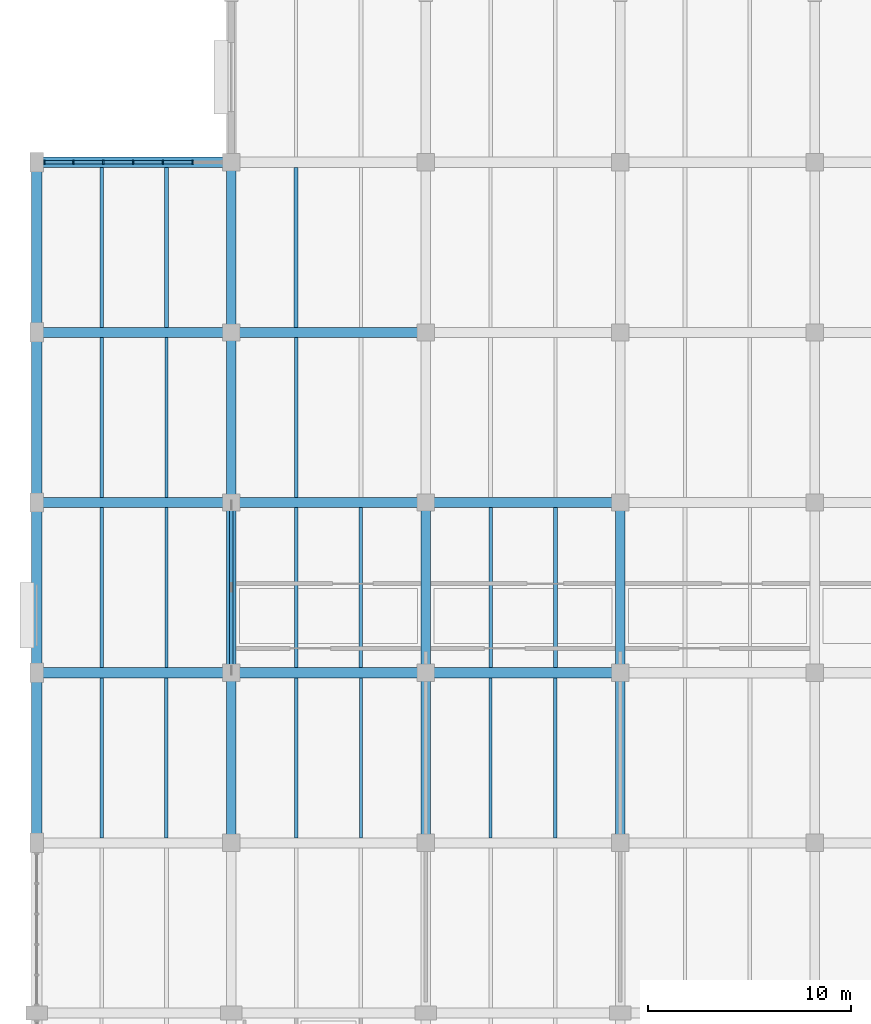
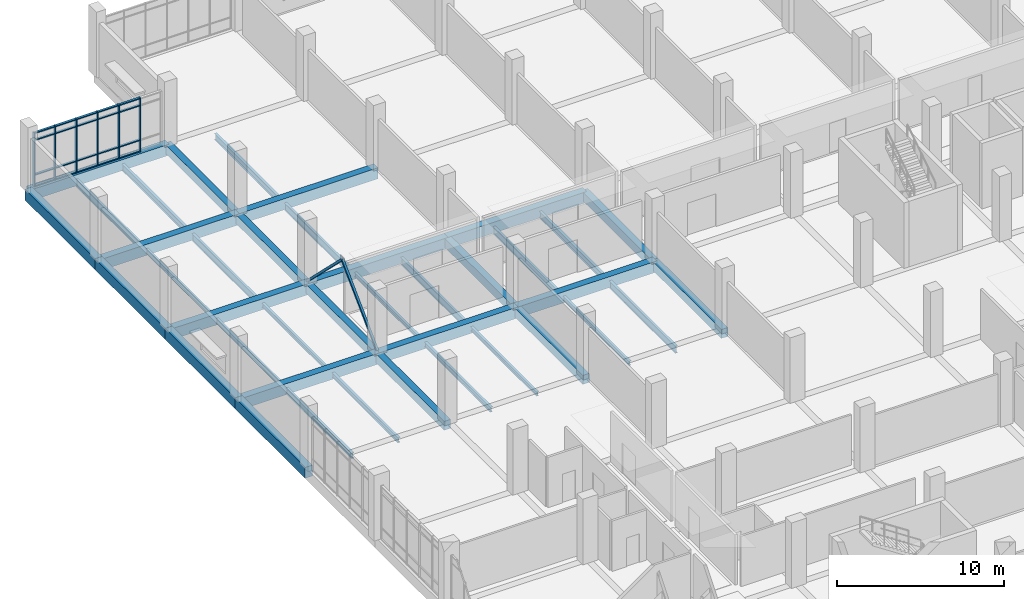
# One storey, part 30 of 152: 39 beams, 28 members, 1 element without a shape of its own.
"""IFC4 building model written with IfcOpenShell, lengths in metres."""

from ifc_helpers import new_model, si_unit, direction, frame, origin, origin_2d, place, context, subcontext, project, spatial, rectangle, hollow_rectangle, i_section, extrude, material, material_profile, profile_set, type_object, element, aggregate, save


model = new_model("IFC4")

# Units and contexts
model_context = context("Model", 3, precision=1e-05, world=origin(), true_north=direction((0.0, 1.0)))
body_context = subcontext(model_context, "Body", "Model", "MODEL_VIEW")
ifc_project = project(units=[si_unit("LENGTHUNIT", "METRE"), si_unit("AREAUNIT", "SQUARE_METRE"), si_unit("VOLUMEUNIT", "CUBIC_METRE"), si_unit("PLANEANGLEUNIT", "RADIAN"), si_unit("MASSUNIT", "GRAM", prefix="KILO")], contexts=[model_context])

# Site, building, storey
site_placement = place(None, origin())
site = spatial("IfcSite", under=ifc_project, at=site_placement, CompositionType="ELEMENT")
building_placement = place(site_placement, origin())
building = spatial("IfcBuilding", under=site, at=building_placement, Name="Oolite Switchyard Hospital", CompositionType="ELEMENT")
storey_placement = place(building_placement, frame((0.0, 0.0, 5.10009765625)))
storey = spatial("IfcBuildingStorey", under=building, at=storey_placement, Name="L01", CompositionType="ELEMENT", Elevation=5.10009765625)

# Beams
ifc_material_1 = material(Name="Concrete C40/50", Category="concrete")
ifc_material_profile_1 = material_profile(ifc_material_1, rectangle(XDim=0.449951171875, YDim=0.64990234375, at=origin_2d()), Name="RCB450X650")
ifc_profile_set_1 = profile_set([ifc_material_profile_1], Name="Concrete C40/50")
beam_type_1 = type_object("IfcBeamType", Name="BM-RC450X650", PredefinedType="BEAM", material=ifc_profile_set_1)
beam_1_placement = place(storey_placement, frame((9.60009765625, 92.39990234375, -0.3251953125), z_axis=(0.0, 1.0, 0.0), x_axis=(-1.0, 0.0, 0.0)))
element("IfcBeam", 1, at=beam_1_placement, inside=storey, type_object=beam_type_1, Name="L01 Y-Girder 313", PredefinedType="BEAM", context=body_context, shape_type="SweptSolid", body=[
    extrude(rectangle(XDim=0.449951171875, YDim=0.64990234375, at=origin_2d()), origin(), (0.0, 0.0, 1.0), 8.400146484375),
])
beam_2_placement = place(storey_placement, frame((9.60009765625, 100.800048828125, -0.3251953125), z_axis=(0.0, 1.0, 0.0), x_axis=(-1.0, 0.0, 0.0)))
element("IfcBeam", 2, at=beam_2_placement, inside=storey, type_object=beam_type_1, Name="L01 Y-Girder 314", PredefinedType="BEAM", context=body_context, shape_type="SweptSolid", body=[
    extrude(rectangle(XDim=0.449951171875, YDim=0.64990234375, at=origin_2d()), origin(), (0.0, 0.0, 1.0), 8.39990234375),
])
beam_3_placement = place(storey_placement, frame((9.60009765625, 109.199951171875, -0.3251953125), z_axis=(0.0, 1.0, 0.0), x_axis=(-1.0, 0.0, 0.0)))
element("IfcBeam", 3, at=beam_3_placement, inside=storey, type_object=beam_type_1, Name="L01 Y-Girder 315", PredefinedType="BEAM", context=body_context, shape_type="SweptSolid", body=[
    extrude(rectangle(XDim=0.449951171875, YDim=0.64990234375, at=origin_2d()), origin(), (0.0, 0.0, 1.0), 8.400146484375),
])
beam_4_placement = place(storey_placement, frame((9.60009765625, 117.60009765625, -0.3251953125), z_axis=(0.0, 1.0, 0.0), x_axis=(-1.0, 0.0, 0.0)))
element("IfcBeam", 4, at=beam_4_placement, inside=storey, type_object=beam_type_1, Name="L01 Y-Girder 316", PredefinedType="BEAM", context=body_context, shape_type="SweptSolid", body=[
    extrude(rectangle(XDim=0.449951171875, YDim=0.64990234375, at=origin_2d()), origin(), (0.0, 0.0, 1.0), 8.39990234375),
])
beam_5_placement = place(storey_placement, frame((19.199951171875, 92.39990234375, -0.3251953125), z_axis=(0.0, 1.0, 0.0), x_axis=(-1.0, 0.0, 0.0)))
element("IfcBeam", 5, at=beam_5_placement, inside=storey, type_object=beam_type_1, Name="L01 Y-Girder 329", PredefinedType="BEAM", context=body_context, shape_type="SweptSolid", body=[
    extrude(rectangle(XDim=0.449951171875, YDim=0.64990234375, at=origin_2d()), origin(), (0.0, 0.0, 1.0), 8.400146484375),
])
beam_6_placement = place(storey_placement, frame((19.199951171875, 100.800048828125, -0.3251953125), z_axis=(0.0, 1.0, 0.0), x_axis=(-1.0, 0.0, 0.0)))
element("IfcBeam", 6, at=beam_6_placement, inside=storey, type_object=beam_type_1, Name="L01 Y-Girder 330", PredefinedType="BEAM", context=body_context, shape_type="SweptSolid", body=[
    extrude(rectangle(XDim=0.449951171875, YDim=0.64990234375, at=origin_2d()), origin(), (0.0, 0.0, 1.0), 8.39990234375),
])
beam_7_placement = place(storey_placement, frame((28.800048828125, 92.39990234375, -0.3251953125), z_axis=(0.0, 1.0, 0.0), x_axis=(-1.0, 0.0, 0.0)))
element("IfcBeam", 7, at=beam_7_placement, inside=storey, type_object=beam_type_1, Name="L01 Y-Girder 345", PredefinedType="BEAM", context=body_context, shape_type="SweptSolid", body=[
    extrude(rectangle(XDim=0.449951171875, YDim=0.64990234375, at=origin_2d()), origin(), (0.0, 0.0, 1.0), 8.400146484375),
])
beam_8_placement = place(storey_placement, frame((28.800048828125, 100.800048828125, -0.3251953125), z_axis=(0.0, 1.0, 0.0), x_axis=(-1.0, 0.0, 0.0)))
element("IfcBeam", 8, at=beam_8_placement, inside=storey, type_object=beam_type_1, Name="L01 Y-Girder 346", PredefinedType="BEAM", context=body_context, shape_type="SweptSolid", body=[
    extrude(rectangle(XDim=0.449951171875, YDim=0.64990234375, at=origin_2d()), origin(), (0.0, 0.0, 1.0), 8.39990234375),
])
ifc_material_profile_2 = material_profile(ifc_material_1, rectangle(XDim=0.5, YDim=0.800048828125, at=origin_2d()), Name="RCB500X800")
ifc_profile_set_2 = profile_set([ifc_material_profile_2], Name="Concrete C40/50")
beam_type_2 = type_object("IfcBeamType", Name="BM-RC500X800", PredefinedType="BEAM", material=ifc_profile_set_2)
beam_9_placement = place(storey_placement, frame((0.0, 100.800048828125, -0.400146484375), z_axis=(1.0, 0.0, 0.0), x_axis=(0.0, 1.0, 0.0)))
element("IfcBeam", 9, at=beam_9_placement, inside=storey, type_object=beam_type_2, Name="L01 X-Girder 197", PredefinedType="BEAM", context=body_context, shape_type="SweptSolid", body=[
    extrude(rectangle(XDim=0.5, YDim=0.800048828125, at=origin_2d()), origin(), (0.0, 0.0, 1.0), 9.60009765625),
])
beam_10_placement = place(storey_placement, frame((9.60009765625, 100.800048828125, -0.400146484375), z_axis=(1.0, 0.0, 0.0), x_axis=(0.0, 1.0, 0.0)))
element("IfcBeam", 10, at=beam_10_placement, inside=storey, type_object=beam_type_2, Name="L01 X-Girder 198", PredefinedType="BEAM", context=body_context, shape_type="SweptSolid", body=[
    extrude(rectangle(XDim=0.5, YDim=0.800048828125, at=origin_2d()), origin(), (0.0, 0.0, 1.0), 9.599853515625),
])
for number, where, z_axis, x_axis, name in (
    (11, (19.199951171875, 100.800048828125, -0.400146484375), (1.0, 0.0, 0.0), (0.0, 1.0, 0.0), "L01 X-Girder 199"),
    (12, (0.0, 109.199951171875, -0.400146484375), (1.0, 0.0, 0.0), (0.0, 1.0, 0.0), "L01 X-Girder 219"),
):
    element("IfcBeam", number, at=place(storey_placement, frame(where, z_axis=z_axis, x_axis=x_axis)), inside=storey, type_object=beam_type_2, Name=name, PredefinedType="BEAM", context=body_context, shape_type="SweptSolid", body=[
        extrude(rectangle(XDim=0.5, YDim=0.800048828125, at=origin_2d()), origin(), (0.0, 0.0, 1.0), 9.60009765625),
    ])
beam_11_placement = place(storey_placement, frame((9.60009765625, 109.199951171875, -0.400146484375), z_axis=(1.0, 0.0, 0.0), x_axis=(0.0, 1.0, 0.0)))
element("IfcBeam", 13, at=beam_11_placement, inside=storey, type_object=beam_type_2, Name="L01 X-Girder 220", PredefinedType="BEAM", context=body_context, shape_type="SweptSolid", body=[
    extrude(rectangle(XDim=0.5, YDim=0.800048828125, at=origin_2d()), origin(), (0.0, 0.0, 1.0), 9.599853515625),
])
for number, where, z_axis, x_axis, name in (
    (14, (19.199951171875, 109.199951171875, -0.400146484375), (1.0, 0.0, 0.0), (0.0, 1.0, 0.0), "L01 X-Girder 221"),
    (15, (0.0, 117.60009765625, -0.400146484375), (1.0, 0.0, 0.0), (0.0, 1.0, 0.0), "L01 X-Girder 239"),
):
    element("IfcBeam", number, at=place(storey_placement, frame(where, z_axis=z_axis, x_axis=x_axis)), inside=storey, type_object=beam_type_2, Name=name, PredefinedType="BEAM", context=body_context, shape_type="SweptSolid", body=[
        extrude(rectangle(XDim=0.5, YDim=0.800048828125, at=origin_2d()), origin(), (0.0, 0.0, 1.0), 9.60009765625),
    ])
beam_12_placement = place(storey_placement, frame((9.60009765625, 117.60009765625, -0.400146484375), z_axis=(1.0, 0.0, 0.0), x_axis=(0.0, 1.0, 0.0)))
element("IfcBeam", 16, at=beam_12_placement, inside=storey, type_object=beam_type_2, Name="L01 X-Girder 240", PredefinedType="BEAM", context=body_context, shape_type="SweptSolid", body=[
    extrude(rectangle(XDim=0.5, YDim=0.800048828125, at=origin_2d()), origin(), (0.0, 0.0, 1.0), 9.599853515625),
])
beam_13_placement = place(storey_placement, frame((0.0, 126.0, -0.400146484375), z_axis=(1.0, 0.0, 0.0), x_axis=(0.0, 1.0, 0.0)))
element("IfcBeam", 17, at=beam_13_placement, inside=storey, type_object=beam_type_2, Name="L01 X-Girder 255", PredefinedType="BEAM", context=body_context, shape_type="SweptSolid", body=[
    extrude(rectangle(XDim=0.5, YDim=0.800048828125, at=origin_2d()), origin(), (0.0, 0.0, 1.0), 9.60009765625),
])
beam_14_placement = place(storey_placement, frame((0.0, 92.39990234375, -0.400146484375), z_axis=(0.0, 1.0, 0.0), x_axis=(-1.0, 0.0, 0.0)))
element("IfcBeam", 18, at=beam_14_placement, inside=storey, type_object=beam_type_2, Name="L01 Y-Girder 298", PredefinedType="BEAM", context=body_context, shape_type="SweptSolid", body=[
    extrude(rectangle(XDim=0.5, YDim=0.800048828125, at=origin_2d()), origin(), (0.0, 0.0, 1.0), 8.400146484375),
])
beam_15_placement = place(storey_placement, frame((0.0, 100.800048828125, -0.400146484375), z_axis=(0.0, 1.0, 0.0), x_axis=(-1.0, 0.0, 0.0)))
element("IfcBeam", 19, at=beam_15_placement, inside=storey, type_object=beam_type_2, Name="L01 Y-Girder 299", PredefinedType="BEAM", context=body_context, shape_type="SweptSolid", body=[
    extrude(rectangle(XDim=0.5, YDim=0.800048828125, at=origin_2d()), origin(), (0.0, 0.0, 1.0), 8.39990234375),
])
beam_16_placement = place(storey_placement, frame((0.0, 109.199951171875, -0.400146484375), z_axis=(0.0, 1.0, 0.0), x_axis=(-1.0, 0.0, 0.0)))
element("IfcBeam", 20, at=beam_16_placement, inside=storey, type_object=beam_type_2, Name="L01 Y-Girder 300", PredefinedType="BEAM", context=body_context, shape_type="SweptSolid", body=[
    extrude(rectangle(XDim=0.5, YDim=0.800048828125, at=origin_2d()), origin(), (0.0, 0.0, 1.0), 8.400146484375),
])
beam_17_placement = place(storey_placement, frame((0.0, 117.60009765625, -0.400146484375), z_axis=(0.0, 1.0, 0.0), x_axis=(-1.0, 0.0, 0.0)))
element("IfcBeam", 21, at=beam_17_placement, inside=storey, type_object=beam_type_2, Name="L01 Y-Girder 301", PredefinedType="BEAM", context=body_context, shape_type="SweptSolid", body=[
    extrude(rectangle(XDim=0.5, YDim=0.800048828125, at=origin_2d()), origin(), (0.0, 0.0, 1.0), 8.39990234375),
])
ifc_material_2 = material(Name="Steel ASTM A992 Grade 50", Category="steel")
ifc_material_profile_3 = material_profile(ifc_material_2, i_section(OverallWidth=0.1650390625, OverallDepth=0.31005859375, WebThickness=0.006103515625, FlangeThickness=0.010009765625, at=origin_2d()), Name="W12X26")
ifc_profile_set_3 = profile_set([ifc_material_profile_3], Name="Steel ASTM A992 Grade 50")
beam_type_3 = type_object("IfcBeamType", Name="BM-W12X26", PredefinedType="JOIST", material=ifc_profile_set_3)
beam_18_placement = place(storey_placement, frame((6.39990234375, 101.050048828125, -0.455078125), z_axis=(0.0, 1.0, 0.0), x_axis=(-1.0, 0.0, 0.0)))
element("IfcBeam", 22, at=beam_18_placement, inside=storey, type_object=beam_type_3, Name="L01 Secondary Steel Joist 585", PredefinedType="JOIST", context=body_context, shape_type="SweptSolid", body=[
    extrude(i_section(OverallWidth=0.1650390625, OverallDepth=0.31005859375, WebThickness=0.006103515625, FlangeThickness=0.010009765625, at=origin_2d()), origin(), (0.0, 0.0, 1.0), 7.89990234375),
])
for number, where, z_axis, x_axis, name in (
    (23, (3.199951171875, 109.449951171875, -0.455078125), (0.0, 1.0, 0.0), (-1.0, 0.0, 0.0), "L01 Secondary Steel Joist 586"),
    (24, (16.0, 92.64990234375, -0.455078125), (0.0, 1.0, 0.0), (-1.0, 0.0, 0.0), "L01 Secondary Steel Joist 613"),
):
    element("IfcBeam", number, at=place(storey_placement, frame(where, z_axis=z_axis, x_axis=x_axis)), inside=storey, type_object=beam_type_3, Name=name, PredefinedType="JOIST", context=body_context, shape_type="SweptSolid", body=[
        extrude(i_section(OverallWidth=0.1650390625, OverallDepth=0.31005859375, WebThickness=0.006103515625, FlangeThickness=0.010009765625, at=origin_2d()), origin(), (0.0, 0.0, 1.0), 7.900146484375),
    ])
beam_19_placement = place(storey_placement, frame((12.800048828125, 101.050048828125, -0.455078125), z_axis=(0.0, 1.0, 0.0), x_axis=(-1.0, 0.0, 0.0)))
element("IfcBeam", 25, at=beam_19_placement, inside=storey, type_object=beam_type_3, Name="L01 Secondary Steel Joist 614", PredefinedType="JOIST", context=body_context, shape_type="SweptSolid", body=[
    extrude(i_section(OverallWidth=0.1650390625, OverallDepth=0.31005859375, WebThickness=0.006103515625, FlangeThickness=0.010009765625, at=origin_2d()), origin(), (0.0, 0.0, 1.0), 7.89990234375),
])
beam_20_placement = place(storey_placement, frame((22.39990234375, 92.64990234375, -0.455078125), z_axis=(0.0, 1.0, 0.0), x_axis=(-1.0, 0.0, 0.0)))
element("IfcBeam", 26, at=beam_20_placement, inside=storey, type_object=beam_type_3, Name="L01 Secondary Steel Joist 640", PredefinedType="JOIST", context=body_context, shape_type="SweptSolid", body=[
    extrude(i_section(OverallWidth=0.1650390625, OverallDepth=0.31005859375, WebThickness=0.006103515625, FlangeThickness=0.010009765625, at=origin_2d()), origin(), (0.0, 0.0, 1.0), 7.900146484375),
])
ifc_material_profile_4 = material_profile(ifc_material_2, i_section(OverallWidth=0.1708984375, OverallDepth=0.35107421875, WebThickness=0.007080078125, FlangeThickness=0.010009765625, at=origin_2d()), Name="W14X30")
ifc_profile_set_4 = profile_set([ifc_material_profile_4], Name="Steel ASTM A992 Grade 50")
beam_type_4 = type_object("IfcBeamType", Name="BM-W14X30", PredefinedType="JOIST", material=ifc_profile_set_4)
beam_21_placement = place(storey_placement, frame((6.39990234375, 92.64990234375, -0.47607421875), z_axis=(0.0, 1.0, 0.0), x_axis=(-1.0, 0.0, 0.0)))
element("IfcBeam", 27, at=beam_21_placement, inside=storey, type_object=beam_type_4, Name="L01 Secondary Steel Joist 583", PredefinedType="JOIST", context=body_context, shape_type="SweptSolid", body=[
    extrude(i_section(OverallWidth=0.1708984375, OverallDepth=0.35107421875, WebThickness=0.007080078125, FlangeThickness=0.010009765625, at=origin_2d()), origin(), (0.0, 0.0, 1.0), 7.900146484375),
])
beam_22_placement = place(storey_placement, frame((3.199951171875, 101.050048828125, -0.47607421875), z_axis=(0.0, 1.0, 0.0), x_axis=(-1.0, 0.0, 0.0)))
element("IfcBeam", 28, at=beam_22_placement, inside=storey, type_object=beam_type_4, Name="L01 Secondary Steel Joist 584", PredefinedType="JOIST", context=body_context, shape_type="SweptSolid", body=[
    extrude(i_section(OverallWidth=0.1708984375, OverallDepth=0.35107421875, WebThickness=0.007080078125, FlangeThickness=0.010009765625, at=origin_2d()), origin(), (0.0, 0.0, 1.0), 7.89990234375),
])
beam_23_placement = place(storey_placement, frame((12.800048828125, 92.64990234375, -0.47607421875), z_axis=(0.0, 1.0, 0.0), x_axis=(-1.0, 0.0, 0.0)))
element("IfcBeam", 29, at=beam_23_placement, inside=storey, type_object=beam_type_4, Name="L01 Secondary Steel Joist 612", PredefinedType="JOIST", context=body_context, shape_type="SweptSolid", body=[
    extrude(i_section(OverallWidth=0.1708984375, OverallDepth=0.35107421875, WebThickness=0.007080078125, FlangeThickness=0.010009765625, at=origin_2d()), origin(), (0.0, 0.0, 1.0), 7.900146484375),
])
ifc_material_profile_5 = material_profile(ifc_material_2, i_section(OverallWidth=0.177978515625, OverallDepth=0.403076171875, WebThickness=0.008056640625, FlangeThickness=0.010986328125, at=origin_2d()), Name="W16X36")
ifc_profile_set_5 = profile_set([ifc_material_profile_5], Name="Steel ASTM A992 Grade 50")
beam_type_5 = type_object("IfcBeamType", Name="BM-W16X36", PredefinedType="JOIST", material=ifc_profile_set_5)
beam_24_placement = place(storey_placement, frame((3.199951171875, 92.64990234375, -0.502197265625), z_axis=(0.0, 1.0, 0.0), x_axis=(-1.0, 0.0, 0.0)))
element("IfcBeam", 30, at=beam_24_placement, inside=storey, type_object=beam_type_5, Name="L01 Secondary Steel Joist 582", PredefinedType="JOIST", context=body_context, shape_type="SweptSolid", body=[
    extrude(i_section(OverallWidth=0.177978515625, OverallDepth=0.403076171875, WebThickness=0.008056640625, FlangeThickness=0.010986328125, at=origin_2d()), origin(), (0.0, 0.0, 1.0), 7.900146484375),
])
ifc_material_profile_6 = material_profile(ifc_material_2, i_section(OverallWidth=0.19091796875, OverallDepth=0.4599609375, WebThickness=0.010009765625, FlangeThickness=0.01611328125, at=origin_2d()), Name="W18X55")
ifc_profile_set_6 = profile_set([ifc_material_profile_6], Name="Steel ASTM A992 Grade 50")
beam_type_6 = type_object("IfcBeamType", Name="BM-W18X55", PredefinedType="JOIST", material=ifc_profile_set_6)
for number, where, z_axis, x_axis, name in (
    (31, (6.39990234375, 117.85009765625, -0.530029296875), (0.0, 1.0, 0.0), (-1.0, 0.0, 0.0), "L01 Secondary Steel Joist 589"),
    (32, (12.800048828125, 117.85009765625, -0.530029296875), (0.0, 1.0, 0.0), (-1.0, 0.0, 0.0), "L01 Secondary Steel Joist 618"),
    (33, (25.60009765625, 101.050048828125, -0.530029296875), (0.0, 1.0, 0.0), (-1.0, 0.0, 0.0), "L01 Secondary Steel Joist 643"),
):
    element("IfcBeam", number, at=place(storey_placement, frame(where, z_axis=z_axis, x_axis=x_axis)), inside=storey, type_object=beam_type_6, Name=name, PredefinedType="JOIST", context=body_context, shape_type="SweptSolid", body=[
        extrude(i_section(OverallWidth=0.19091796875, OverallDepth=0.4599609375, WebThickness=0.010009765625, FlangeThickness=0.01611328125, at=origin_2d()), origin(), (0.0, 0.0, 1.0), 7.89990234375),
    ])
ifc_material_profile_7 = material_profile(ifc_material_2, i_section(OverallWidth=0.166015625, OverallDepth=0.529052734375, WebThickness=0.010009765625, FlangeThickness=0.013916015625, at=origin_2d()), Name="W21X50")
ifc_profile_set_7 = profile_set([ifc_material_profile_7], Name="Steel ASTM A992 Grade 50")
beam_type_7 = type_object("IfcBeamType", Name="BM-W21X50", PredefinedType="JOIST", material=ifc_profile_set_7)
beam_25_placement = place(storey_placement, frame((6.39990234375, 109.449951171875, -0.564208984375), z_axis=(0.0, 1.0, 0.0), x_axis=(-1.0, 0.0, 0.0)))
element("IfcBeam", 34, at=beam_25_placement, inside=storey, type_object=beam_type_7, Name="L01 Secondary Steel Joist 587", PredefinedType="JOIST", context=body_context, shape_type="SweptSolid", body=[
    extrude(i_section(OverallWidth=0.166015625, OverallDepth=0.529052734375, WebThickness=0.010009765625, FlangeThickness=0.013916015625, at=origin_2d()), origin(), (0.0, 0.0, 1.0), 7.900146484375),
])
for number, where, z_axis, x_axis, name in (
    (35, (3.199951171875, 117.85009765625, -0.564208984375), (0.0, 1.0, 0.0), (-1.0, 0.0, 0.0), "L01 Secondary Steel Joist 588"),
    (36, (16.0, 101.050048828125, -0.564208984375), (0.0, 1.0, 0.0), (-1.0, 0.0, 0.0), "L01 Secondary Steel Joist 615"),
):
    element("IfcBeam", number, at=place(storey_placement, frame(where, z_axis=z_axis, x_axis=x_axis)), inside=storey, type_object=beam_type_7, Name=name, PredefinedType="JOIST", context=body_context, shape_type="SweptSolid", body=[
        extrude(i_section(OverallWidth=0.166015625, OverallDepth=0.529052734375, WebThickness=0.010009765625, FlangeThickness=0.013916015625, at=origin_2d()), origin(), (0.0, 0.0, 1.0), 7.89990234375),
    ])
for number, where, z_axis, x_axis, name in (
    (37, (12.800048828125, 109.449951171875, -0.564208984375), (0.0, 1.0, 0.0), (-1.0, 0.0, 0.0), "L01 Secondary Steel Joist 616"),
    (38, (25.60009765625, 92.64990234375, -0.564208984375), (0.0, 1.0, 0.0), (-1.0, 0.0, 0.0), "L01 Secondary Steel Joist 641"),
):
    element("IfcBeam", number, at=place(storey_placement, frame(where, z_axis=z_axis, x_axis=x_axis)), inside=storey, type_object=beam_type_7, Name=name, PredefinedType="JOIST", context=body_context, shape_type="SweptSolid", body=[
        extrude(i_section(OverallWidth=0.166015625, OverallDepth=0.529052734375, WebThickness=0.010009765625, FlangeThickness=0.013916015625, at=origin_2d()), origin(), (0.0, 0.0, 1.0), 7.900146484375),
    ])
beam_26_placement = place(storey_placement, frame((22.39990234375, 101.050048828125, -0.564208984375), z_axis=(0.0, 1.0, 0.0), x_axis=(-1.0, 0.0, 0.0)))
element("IfcBeam", 39, at=beam_26_placement, inside=storey, type_object=beam_type_7, Name="L01 Secondary Steel Joist 642", PredefinedType="JOIST", context=body_context, shape_type="SweptSolid", body=[
    extrude(i_section(OverallWidth=0.166015625, OverallDepth=0.529052734375, WebThickness=0.010009765625, FlangeThickness=0.013916015625, at=origin_2d()), origin(), (0.0, 0.0, 1.0), 7.89990234375),
])

# Curtain wall, members
ifc_material_3 = material(Name="Thermally broken aluminum frame with laminated impact glazing", Category="aluminium")
curtain_wall_type = type_object("IfcCurtainWallType", Name="CW-UNIT-96X48", PredefinedType="USERDEFINED", material=ifc_material_3)
curtain_wall_placement = place(storey_placement, origin())
curtain_wall = element("IfcCurtainWall", 40, at=curtain_wall_placement, inside=storey, type_object=curtain_wall_type, Name="L01 Unitised Curtain Wall 151", ObjectType="UNITISED", PredefinedType="USERDEFINED")
ifc_material_4 = material(Name="Aluminium 6063-T6", Category="aluminium")
ifc_material_profile_8 = material_profile(ifc_material_4, rectangle(XDim=0.199951171875, YDim=0.074951171875, at=origin_2d()), Name="CWM75X200")
ifc_profile_set_8 = profile_set([ifc_material_profile_8], Name="Aluminium 6063-T6")
member_type_1 = type_object("IfcMemberType", Name="CW-MUL-260", PredefinedType="MULLION", material=ifc_profile_set_8)
member_1_placement = place(storey_placement, frame((0.37744140625, 126.0, 0.0), z_axis=(0.0, 0.0, 1.0), x_axis=(0.0, 1.0, 0.0)))
member_1 = element("IfcMember", 41, at=member_1_placement, type_object=member_type_1, Name="CW-02 mullion 1", PredefinedType="MULLION", context=body_context, shape_type="SweptSolid", body=[
    extrude(rectangle(XDim=0.199951171875, YDim=0.074951171875, at=origin_2d()), origin(), (0.0, 0.0, 1.0), 3.93994140625),
])
member_2_placement = place(storey_placement, frame((1.81005859375, 126.0, 0.0), z_axis=(0.0, 0.0, 1.0), x_axis=(0.0, 1.0, 0.0)))
member_2 = element("IfcMember", 42, at=member_2_placement, type_object=member_type_1, Name="CW-02 mullion 2", PredefinedType="MULLION", context=body_context, shape_type="SweptSolid", body=[
    extrude(rectangle(XDim=0.199951171875, YDim=0.074951171875, at=origin_2d()), origin(), (0.0, 0.0, 1.0), 3.93994140625),
])
member_3_placement = place(storey_placement, frame((3.280029296875, 126.0, 0.0), z_axis=(0.0, 0.0, 1.0), x_axis=(0.0, 1.0, 0.0)))
member_3 = element("IfcMember", 43, at=member_3_placement, type_object=member_type_1, Name="CW-02 mullion 3", PredefinedType="MULLION", context=body_context, shape_type="SweptSolid", body=[
    extrude(rectangle(XDim=0.199951171875, YDim=0.074951171875, at=origin_2d()), origin(), (0.0, 0.0, 1.0), 3.93994140625),
])
member_4_placement = place(storey_placement, frame((4.75, 126.0, 0.0), z_axis=(0.0, 0.0, 1.0), x_axis=(0.0, 1.0, 0.0)))
member_4 = element("IfcMember", 44, at=member_4_placement, type_object=member_type_1, Name="CW-02 mullion 4", PredefinedType="MULLION", context=body_context, shape_type="SweptSolid", body=[
    extrude(rectangle(XDim=0.199951171875, YDim=0.074951171875, at=origin_2d()), origin(), (0.0, 0.0, 1.0), 3.93994140625),
])
member_5_placement = place(storey_placement, frame((6.219970703125, 126.0, 0.0), z_axis=(0.0, 0.0, 1.0), x_axis=(0.0, 1.0, 0.0)))
member_5 = element("IfcMember", 45, at=member_5_placement, type_object=member_type_1, Name="CW-02 mullion 5", PredefinedType="MULLION", context=body_context, shape_type="SweptSolid", body=[
    extrude(rectangle(XDim=0.199951171875, YDim=0.074951171875, at=origin_2d()), origin(), (0.0, 0.0, 1.0), 3.93994140625),
])
member_6_placement = place(storey_placement, frame((7.68994140625, 126.0, 0.0), z_axis=(0.0, 0.0, 1.0), x_axis=(0.0, 1.0, 0.0)))
member_6 = element("IfcMember", 46, at=member_6_placement, type_object=member_type_1, Name="CW-02 mullion 6", PredefinedType="MULLION", context=body_context, shape_type="SweptSolid", body=[
    extrude(rectangle(XDim=0.199951171875, YDim=0.074951171875, at=origin_2d()), origin(), (0.0, 0.0, 1.0), 3.93994140625),
])
ifc_material_profile_9 = material_profile(ifc_material_4, rectangle(XDim=0.159912109375, YDim=0.074951171875, at=origin_2d()), Name="CWT75X160")
ifc_profile_set_9 = profile_set([ifc_material_profile_9], Name="Aluminium 6063-T6")
member_type_2 = type_object("IfcMemberType", Name="CW-TRN-180", PredefinedType="USERDEFINED", material=ifc_profile_set_9)
member_7_placement = place(storey_placement, frame((0.4150390625, 126.0, 0.037353515625), z_axis=(1.0, 0.0, 0.0), x_axis=(0.0, 1.0, 0.0)))
member_7 = element("IfcMember", 47, at=member_7_placement, type_object=member_type_2, Name="CW-02 transom 1.1", ObjectType="TRANSOM", PredefinedType="USERDEFINED", context=body_context, shape_type="SweptSolid", body=[
    extrude(rectangle(XDim=0.159912109375, YDim=0.074951171875, at=origin_2d()), origin(), (0.0, 0.0, 1.0), 1.357421875),
])
member_8_placement = place(storey_placement, frame((0.4150390625, 126.0, 0.849853515625), z_axis=(1.0, 0.0, 0.0), x_axis=(0.0, 1.0, 0.0)))
member_8 = element("IfcMember", 48, at=member_8_placement, type_object=member_type_2, Name="CW-02 transom 1.2", ObjectType="TRANSOM", PredefinedType="USERDEFINED", context=body_context, shape_type="SweptSolid", body=[
    extrude(rectangle(XDim=0.159912109375, YDim=0.074951171875, at=origin_2d()), origin(), (0.0, 0.0, 1.0), 1.357421875),
])
member_9_placement = place(storey_placement, frame((0.4150390625, 126.0, 3.389892578125), z_axis=(1.0, 0.0, 0.0), x_axis=(0.0, 1.0, 0.0)))
member_9 = element("IfcMember", 49, at=member_9_placement, type_object=member_type_2, Name="CW-02 transom 1.3", ObjectType="TRANSOM", PredefinedType="USERDEFINED", context=body_context, shape_type="SweptSolid", body=[
    extrude(rectangle(XDim=0.159912109375, YDim=0.074951171875, at=origin_2d()), origin(), (0.0, 0.0, 1.0), 1.357421875),
])
member_10_placement = place(storey_placement, frame((0.4150390625, 126.0, 3.90234375), z_axis=(1.0, 0.0, 0.0), x_axis=(0.0, 1.0, 0.0)))
member_10 = element("IfcMember", 50, at=member_10_placement, type_object=member_type_2, Name="CW-02 transom 1.4", ObjectType="TRANSOM", PredefinedType="USERDEFINED", context=body_context, shape_type="SweptSolid", body=[
    extrude(rectangle(XDim=0.159912109375, YDim=0.074951171875, at=origin_2d()), origin(), (0.0, 0.0, 1.0), 1.357421875),
])
member_11_placement = place(storey_placement, frame((1.847412109375, 126.0, 0.037353515625), z_axis=(1.0, 0.0, 0.0), x_axis=(0.0, 1.0, 0.0)))
member_11 = element("IfcMember", 51, at=member_11_placement, type_object=member_type_2, Name="CW-02 transom 2.1", ObjectType="TRANSOM", PredefinedType="USERDEFINED", context=body_context, shape_type="SweptSolid", body=[
    extrude(rectangle(XDim=0.159912109375, YDim=0.074951171875, at=origin_2d()), origin(), (0.0, 0.0, 1.0), 1.39501953125),
])
member_12_placement = place(storey_placement, frame((1.847412109375, 126.0, 0.849853515625), z_axis=(1.0, 0.0, 0.0), x_axis=(0.0, 1.0, 0.0)))
member_12 = element("IfcMember", 52, at=member_12_placement, type_object=member_type_2, Name="CW-02 transom 2.2", ObjectType="TRANSOM", PredefinedType="USERDEFINED", context=body_context, shape_type="SweptSolid", body=[
    extrude(rectangle(XDim=0.159912109375, YDim=0.074951171875, at=origin_2d()), origin(), (0.0, 0.0, 1.0), 1.39501953125),
])
member_13_placement = place(storey_placement, frame((1.847412109375, 126.0, 3.389892578125), z_axis=(1.0, 0.0, 0.0), x_axis=(0.0, 1.0, 0.0)))
member_13 = element("IfcMember", 53, at=member_13_placement, type_object=member_type_2, Name="CW-02 transom 2.3", ObjectType="TRANSOM", PredefinedType="USERDEFINED", context=body_context, shape_type="SweptSolid", body=[
    extrude(rectangle(XDim=0.159912109375, YDim=0.074951171875, at=origin_2d()), origin(), (0.0, 0.0, 1.0), 1.39501953125),
])
member_14_placement = place(storey_placement, frame((1.847412109375, 126.0, 3.90234375), z_axis=(1.0, 0.0, 0.0), x_axis=(0.0, 1.0, 0.0)))
member_14 = element("IfcMember", 54, at=member_14_placement, type_object=member_type_2, Name="CW-02 transom 2.4", ObjectType="TRANSOM", PredefinedType="USERDEFINED", context=body_context, shape_type="SweptSolid", body=[
    extrude(rectangle(XDim=0.159912109375, YDim=0.074951171875, at=origin_2d()), origin(), (0.0, 0.0, 1.0), 1.39501953125),
])
member_15_placement = place(storey_placement, frame((3.3173828125, 126.0, 0.037353515625), z_axis=(1.0, 0.0, 0.0), x_axis=(0.0, 1.0, 0.0)))
member_15 = element("IfcMember", 55, at=member_15_placement, type_object=member_type_2, Name="CW-02 transom 3.1", ObjectType="TRANSOM", PredefinedType="USERDEFINED", context=body_context, shape_type="SweptSolid", body=[
    extrude(rectangle(XDim=0.159912109375, YDim=0.074951171875, at=origin_2d()), origin(), (0.0, 0.0, 1.0), 1.39501953125),
])
member_16_placement = place(storey_placement, frame((3.3173828125, 126.0, 0.849853515625), z_axis=(1.0, 0.0, 0.0), x_axis=(0.0, 1.0, 0.0)))
member_16 = element("IfcMember", 56, at=member_16_placement, type_object=member_type_2, Name="CW-02 transom 3.2", ObjectType="TRANSOM", PredefinedType="USERDEFINED", context=body_context, shape_type="SweptSolid", body=[
    extrude(rectangle(XDim=0.159912109375, YDim=0.074951171875, at=origin_2d()), origin(), (0.0, 0.0, 1.0), 1.39501953125),
])
member_17_placement = place(storey_placement, frame((3.3173828125, 126.0, 3.389892578125), z_axis=(1.0, 0.0, 0.0), x_axis=(0.0, 1.0, 0.0)))
member_17 = element("IfcMember", 57, at=member_17_placement, type_object=member_type_2, Name="CW-02 transom 3.3", ObjectType="TRANSOM", PredefinedType="USERDEFINED", context=body_context, shape_type="SweptSolid", body=[
    extrude(rectangle(XDim=0.159912109375, YDim=0.074951171875, at=origin_2d()), origin(), (0.0, 0.0, 1.0), 1.39501953125),
])
member_18_placement = place(storey_placement, frame((3.3173828125, 126.0, 3.90234375), z_axis=(1.0, 0.0, 0.0), x_axis=(0.0, 1.0, 0.0)))
member_18 = element("IfcMember", 58, at=member_18_placement, type_object=member_type_2, Name="CW-02 transom 3.4", ObjectType="TRANSOM", PredefinedType="USERDEFINED", context=body_context, shape_type="SweptSolid", body=[
    extrude(rectangle(XDim=0.159912109375, YDim=0.074951171875, at=origin_2d()), origin(), (0.0, 0.0, 1.0), 1.39501953125),
])
member_19_placement = place(storey_placement, frame((4.78759765625, 126.0, 0.037353515625), z_axis=(1.0, 0.0, 0.0), x_axis=(0.0, 1.0, 0.0)))
member_19 = element("IfcMember", 59, at=member_19_placement, type_object=member_type_2, Name="CW-02 transom 4.1", ObjectType="TRANSOM", PredefinedType="USERDEFINED", context=body_context, shape_type="SweptSolid", body=[
    extrude(rectangle(XDim=0.159912109375, YDim=0.074951171875, at=origin_2d()), origin(), (0.0, 0.0, 1.0), 1.39501953125),
])
member_20_placement = place(storey_placement, frame((4.78759765625, 126.0, 0.849853515625), z_axis=(1.0, 0.0, 0.0), x_axis=(0.0, 1.0, 0.0)))
member_20 = element("IfcMember", 60, at=member_20_placement, type_object=member_type_2, Name="CW-02 transom 4.2", ObjectType="TRANSOM", PredefinedType="USERDEFINED", context=body_context, shape_type="SweptSolid", body=[
    extrude(rectangle(XDim=0.159912109375, YDim=0.074951171875, at=origin_2d()), origin(), (0.0, 0.0, 1.0), 1.39501953125),
])
member_21_placement = place(storey_placement, frame((4.78759765625, 126.0, 3.389892578125), z_axis=(1.0, 0.0, 0.0), x_axis=(0.0, 1.0, 0.0)))
member_21 = element("IfcMember", 61, at=member_21_placement, type_object=member_type_2, Name="CW-02 transom 4.3", ObjectType="TRANSOM", PredefinedType="USERDEFINED", context=body_context, shape_type="SweptSolid", body=[
    extrude(rectangle(XDim=0.159912109375, YDim=0.074951171875, at=origin_2d()), origin(), (0.0, 0.0, 1.0), 1.39501953125),
])
member_22_placement = place(storey_placement, frame((4.78759765625, 126.0, 3.90234375), z_axis=(1.0, 0.0, 0.0), x_axis=(0.0, 1.0, 0.0)))
member_22 = element("IfcMember", 62, at=member_22_placement, type_object=member_type_2, Name="CW-02 transom 4.4", ObjectType="TRANSOM", PredefinedType="USERDEFINED", context=body_context, shape_type="SweptSolid", body=[
    extrude(rectangle(XDim=0.159912109375, YDim=0.074951171875, at=origin_2d()), origin(), (0.0, 0.0, 1.0), 1.39501953125),
])
member_23_placement = place(storey_placement, frame((6.257568359375, 126.0, 0.037353515625), z_axis=(1.0, 0.0, 0.0), x_axis=(0.0, 1.0, 0.0)))
member_23 = element("IfcMember", 63, at=member_23_placement, type_object=member_type_2, Name="CW-02 transom 5.1", ObjectType="TRANSOM", PredefinedType="USERDEFINED", context=body_context, shape_type="SweptSolid", body=[
    extrude(rectangle(XDim=0.159912109375, YDim=0.074951171875, at=origin_2d()), origin(), (0.0, 0.0, 1.0), 1.39501953125),
])
member_24_placement = place(storey_placement, frame((6.257568359375, 126.0, 0.849853515625), z_axis=(1.0, 0.0, 0.0), x_axis=(0.0, 1.0, 0.0)))
member_24 = element("IfcMember", 64, at=member_24_placement, type_object=member_type_2, Name="CW-02 transom 5.2", ObjectType="TRANSOM", PredefinedType="USERDEFINED", context=body_context, shape_type="SweptSolid", body=[
    extrude(rectangle(XDim=0.159912109375, YDim=0.074951171875, at=origin_2d()), origin(), (0.0, 0.0, 1.0), 1.39501953125),
])
member_25_placement = place(storey_placement, frame((6.257568359375, 126.0, 3.389892578125), z_axis=(1.0, 0.0, 0.0), x_axis=(0.0, 1.0, 0.0)))
member_25 = element("IfcMember", 65, at=member_25_placement, type_object=member_type_2, Name="CW-02 transom 5.3", ObjectType="TRANSOM", PredefinedType="USERDEFINED", context=body_context, shape_type="SweptSolid", body=[
    extrude(rectangle(XDim=0.159912109375, YDim=0.074951171875, at=origin_2d()), origin(), (0.0, 0.0, 1.0), 1.39501953125),
])
member_26_placement = place(storey_placement, frame((6.257568359375, 126.0, 3.90234375), z_axis=(1.0, 0.0, 0.0), x_axis=(0.0, 1.0, 0.0)))
member_26 = element("IfcMember", 66, at=member_26_placement, type_object=member_type_2, Name="CW-02 transom 5.4", ObjectType="TRANSOM", PredefinedType="USERDEFINED", context=body_context, shape_type="SweptSolid", body=[
    extrude(rectangle(XDim=0.159912109375, YDim=0.074951171875, at=origin_2d()), origin(), (0.0, 0.0, 1.0), 1.39501953125),
])
aggregate(curtain_wall, [member_1, member_2, member_3, member_4, member_5, member_6, member_7, member_8, member_9, member_10, member_11, member_12, member_13, member_14, member_15, member_16, member_17, member_18, member_19, member_20, member_21, member_22, member_23, member_24, member_25, member_26])

# Members
ifc_material_5 = material(Name="Steel ASTM A500 Grade C", Category="steel")
ifc_material_profile_10 = material_profile(ifc_material_5, hollow_rectangle(XDim=0.152099609375, YDim=0.152099609375, WallThickness=0.010009765625, at=origin_2d()), Name="HSS152X152X10")
ifc_profile_set_10 = profile_set([ifc_material_profile_10], Name="Steel ASTM A500 Grade C")
member_type_3 = type_object("IfcMemberType", Name="MEM-BR-HSS152", PredefinedType="BRACE", material=ifc_profile_set_10)
for number, where, z_axis, x_axis, name in (
    (67, (9.60009765625, 100.800048828125, 0.02001953125), (0.0, 0.713029550753, 0.701133981314), (-1.0, 0.0, 0.0), "L01 Chevron Brace 83"),
    (68, (9.60009765625, 109.199951171875, 0.02001953125), (0.0, -0.713029550753, 0.701133981314), (1.0, 0.0, 0.0), "L01 Chevron Brace 84"),
):
    element("IfcMember", number, at=place(storey_placement, frame(where, z_axis=z_axis, x_axis=x_axis)), inside=storey, type_object=member_type_3, Name=name, PredefinedType="BRACE", context=body_context, shape_type="SweptSolid", body=[
        extrude(hollow_rectangle(XDim=0.152099609375, YDim=0.152099609375, WallThickness=0.010009765625, at=origin_2d()), origin(), (0.0, 0.0, 1.0), 5.890380859375),
    ])

save(model, "model.ifc")
